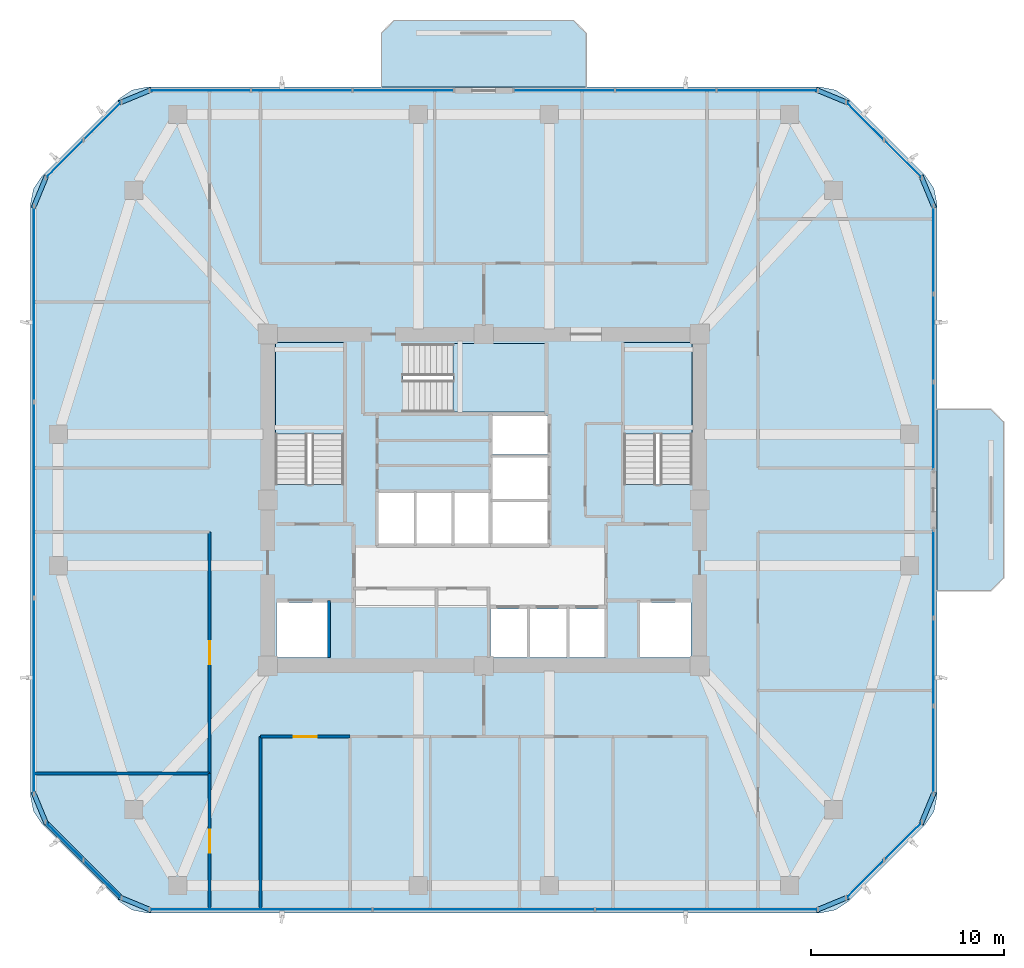
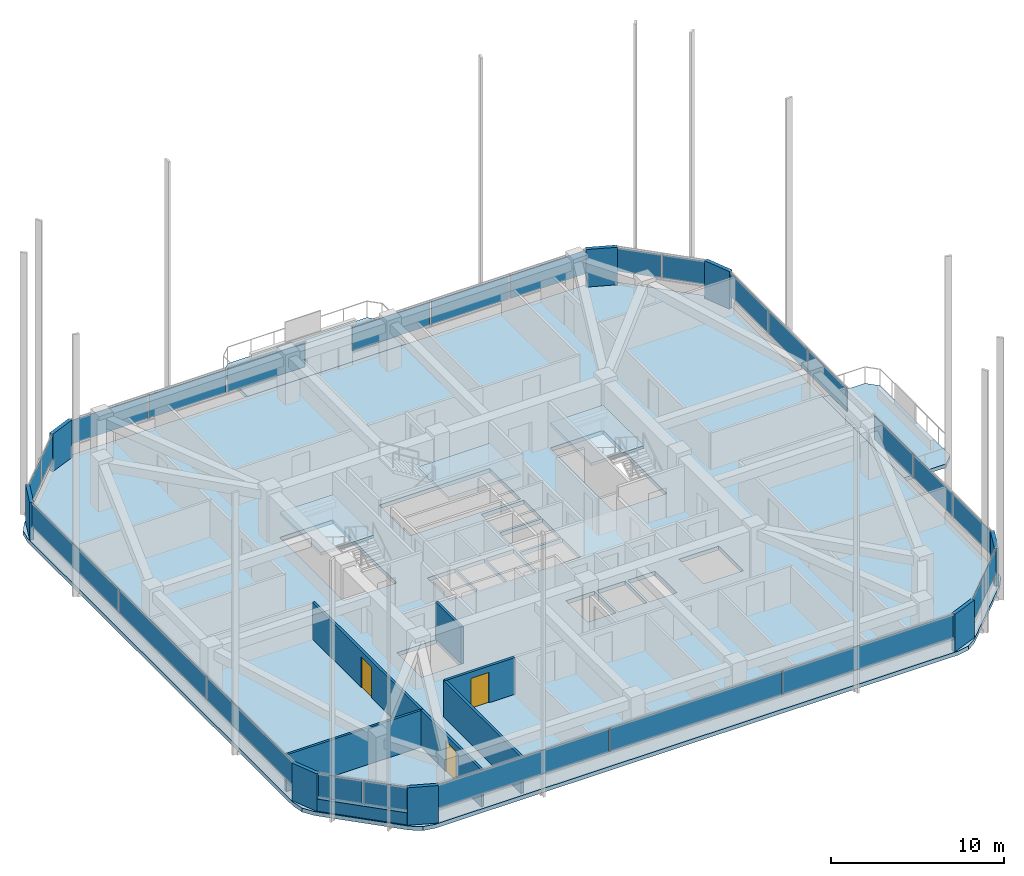
# One storey, part 7 of 14: 34 plates, 7 walls, 6 slabs, 3 doors, 3 openings, 13 elements without a shape of their own.
"""IFC4 building model written with IfcOpenShell, lengths in metres."""

from ifc_helpers import new_model, si_unit, derived_unit, direction, frame, frame_2d, origin, origin_2d, place, context, subcontext, project, spatial, polyline, rectangle, outline, extrude, material, layer, layer_set, type_object, element, fill, aggregate, save


model = new_model("IFC4")

# Units and contexts
model_context = context("Model", 3, precision=1e-05, world=origin(), true_north=direction((0.0, 1.0)))
body_context = subcontext(model_context, "Body", "Model", "MODEL_VIEW")
ifc_project = project(units=[si_unit("LENGTHUNIT", "METRE"), si_unit("AREAUNIT", "SQUARE_METRE"), si_unit("VOLUMEUNIT", "CUBIC_METRE"), si_unit("PLANEANGLEUNIT", "RADIAN"), si_unit("MASSUNIT", "GRAM", prefix="KILO"), derived_unit("THERMALTRANSMITTANCEUNIT", [(si_unit("POWERUNIT", "WATT"), 1), (si_unit("LENGTHUNIT", "METRE"), -2), (si_unit("THERMODYNAMICTEMPERATUREUNIT", "KELVIN"), -1)])], contexts=[model_context])

# Site, building, storey
site_placement = place(None, origin())
site = spatial("IfcSite", under=ifc_project, at=site_placement, CompositionType="ELEMENT")
building_placement = place(site_placement, origin())
building = spatial("IfcBuilding", under=site, at=building_placement, Name="Koralith Skygarden Medical Center", CompositionType="ELEMENT")
storey_placement = place(building_placement, frame((0.0, 0.0, 174.419921875)))
storey = spatial("IfcBuildingStorey", under=building, at=storey_placement, Name="L45", CompositionType="ELEMENT", Elevation=174.419921875)

# Curtain wall, plates
ifc_material_1 = material(Name="Clear Laminated Glass", Category="glass")
curtain_wall_type = type_object("IfcCurtainWallType", Name="CW-4 Zone 3 Waist High-Wind Curtain Wall", PredefinedType="NOTDEFINED", material=ifc_material_1)
curtain_wall_1_placement = place(storey_placement, origin())
curtain_wall_1 = element("IfcCurtainWall", 1, at=curtain_wall_1_placement, inside=storey, type_object=curtain_wall_type, Name="Curtain Wall CW-L45-S", PredefinedType="NOTDEFINED")
ifc_layer_1 = layer(ifc_material_1, 0.035888671875)
ifc_layer_set_1 = layer_set([ifc_layer_1], Name="Clear Laminated Glass")
plate_type_1 = type_object("IfcPlateType", Name="CW-4 Hurricane Laminated IGU Panel 36", PredefinedType="CURTAIN_PANEL", material=ifc_layer_set_1)
plate_1_placement = place(storey_placement, frame((25.447021484375, 4.679931640625, 0.919921875), z_axis=(0.0, 0.0, 1.0), x_axis=(1.0, 0.0, 0.0)))
plate_1 = element("IfcPlate", 2, at=plate_1_placement, type_object=plate_type_1, Name="CW-L45-S Glazed Panel 1", PredefinedType="CURTAIN_PANEL", context=body_context, shape_type="SweptSolid", body=[
    extrude(rectangle(XDim=11.462890625, YDim=0.035888671875, at=origin_2d()), origin(), (0.0, 0.0, 1.0), 1.659912109375),
])
plate_2_placement = place(storey_placement, frame((37.0, 4.679931640625, 0.919921875), z_axis=(0.0, 0.0, 1.0), x_axis=(1.0, 0.0, 0.0)))
plate_2 = element("IfcPlate", 3, at=plate_2_placement, type_object=plate_type_1, Name="CW-L45-S Glazed Panel 2", PredefinedType="CURTAIN_PANEL", context=body_context, shape_type="SweptSolid", body=[
    extrude(rectangle(XDim=11.462890625, YDim=0.035888671875, at=origin_2d()), origin(), (0.0, 0.0, 1.0), 1.659912109375),
])
plate_3_placement = place(storey_placement, frame((48.552978515625, 4.679931640625, 0.919921875), z_axis=(0.0, 0.0, 1.0), x_axis=(1.0, 0.0, 0.0)))
plate_3 = element("IfcPlate", 4, at=plate_3_placement, type_object=plate_type_1, Name="CW-L45-S Glazed Panel 3", PredefinedType="CURTAIN_PANEL", context=body_context, shape_type="SweptSolid", body=[
    extrude(rectangle(XDim=11.462890625, YDim=0.035888671875, at=origin_2d()), origin(), (0.0, 0.0, 1.0), 1.659912109375),
])
aggregate(curtain_wall_1, [plate_1, plate_2, plate_3])

curtain_wall_2_placement = place(storey_placement, origin())
curtain_wall_2 = element("IfcCurtainWall", 5, at=curtain_wall_2_placement, inside=storey, type_object=curtain_wall_type, Name="Curtain Wall CW-L45-SE", PredefinedType="NOTDEFINED")
plate_4_placement = place(storey_placement, frame((56.760986328125, 6.261962890625, 0.919921875), z_axis=(0.0, 0.0, 1.0), x_axis=(0.707106781187, 0.707106781187, 0.0)))
plate_4 = element("IfcPlate", 6, at=plate_4_placement, type_object=plate_type_1, Name="CW-L45-SE Glazed Panel 1", PredefinedType="CURTAIN_PANEL", context=body_context, shape_type="SweptSolid", body=[
    extrude(rectangle(XDim=2.68408203125, YDim=0.035888671875, at=origin_2d()), origin(), (0.0, 0.0, 1.0), 1.659912109375),
])
plate_5_placement = place(storey_placement, frame((58.721923828125, 8.222900390625, 0.919921875), z_axis=(0.0, 0.0, 1.0), x_axis=(0.707106781187, 0.707106781187, 0.0)))
plate_5 = element("IfcPlate", 7, at=plate_5_placement, type_object=plate_type_1, Name="CW-L45-SE Glazed Panel 2", PredefinedType="CURTAIN_PANEL", context=body_context, shape_type="SweptSolid", body=[
    extrude(rectangle(XDim=2.68408203125, YDim=0.035888671875, at=origin_2d()), origin(), (0.0, 0.0, 1.0), 1.659912109375),
])
aggregate(curtain_wall_2, [plate_4, plate_5])

curtain_wall_3_placement = place(storey_placement, origin())
curtain_wall_3 = element("IfcCurtainWall", 8, at=curtain_wall_3_placement, inside=storey, type_object=curtain_wall_type, Name="Curtain Wall CW-L45-E-L", PredefinedType="NOTDEFINED")
plate_6_placement = place(storey_placement, frame((60.303955078125, 12.93896484375, 0.919921875), z_axis=(0.0, 0.0, 1.0), x_axis=(0.0, 1.0, 0.0)))
plate_6 = element("IfcPlate", 9, at=plate_6_placement, type_object=plate_type_1, Name="CW-L45-E-L Glazed Panel 1", PredefinedType="CURTAIN_PANEL", context=body_context, shape_type="SweptSolid", body=[
    extrude(rectangle(XDim=4.47802734375, YDim=0.035888671875, at=origin_2d()), origin(), (0.0, 0.0, 1.0), 1.659912109375),
])
plate_7_placement = place(storey_placement, frame((60.303955078125, 17.508056640625, 0.919921875), z_axis=(0.0, 0.0, 1.0), x_axis=(0.0, 1.0, 0.0)))
plate_7 = element("IfcPlate", 10, at=plate_7_placement, type_object=plate_type_1, Name="CW-L45-E-L Glazed Panel 2", PredefinedType="CURTAIN_PANEL", context=body_context, shape_type="SweptSolid", body=[
    extrude(rectangle(XDim=4.47802734375, YDim=0.035888671875, at=origin_2d()), origin(), (0.0, 0.0, 1.0), 1.659912109375),
])
plate_8_placement = place(storey_placement, frame((60.303955078125, 22.075927734375, 0.919921875), z_axis=(0.0, 0.0, 1.0), x_axis=(0.0, 1.0, 0.0)))
plate_8 = element("IfcPlate", 11, at=plate_8_placement, type_object=plate_type_1, Name="CW-L45-E-L Glazed Panel 3", PredefinedType="CURTAIN_PANEL", context=body_context, shape_type="SweptSolid", body=[
    extrude(rectangle(XDim=4.47802734375, YDim=0.035888671875, at=origin_2d()), origin(), (0.0, 0.0, 1.0), 1.659912109375),
])
aggregate(curtain_wall_3, [plate_6, plate_7, plate_8])

curtain_wall_4_placement = place(storey_placement, origin())
curtain_wall_4 = element("IfcCurtainWall", 12, at=curtain_wall_4_placement, inside=storey, type_object=curtain_wall_type, Name="Curtain Wall CW-L45-E-R", PredefinedType="NOTDEFINED")
plate_9_placement = place(storey_placement, frame((60.303955078125, 29.72412109375, 0.919921875), z_axis=(0.0, 0.0, 1.0), x_axis=(0.0, 1.0, 0.0)))
plate_9 = element("IfcPlate", 13, at=plate_9_placement, type_object=plate_type_1, Name="CW-L45-E-R Glazed Panel 1", PredefinedType="CURTAIN_PANEL", context=body_context, shape_type="SweptSolid", body=[
    extrude(rectangle(XDim=4.47802734375, YDim=0.035888671875, at=origin_2d()), origin(), (0.0, 0.0, 1.0), 1.659912109375),
])
plate_10_placement = place(storey_placement, frame((60.303955078125, 34.29296875, 0.919921875), z_axis=(0.0, 0.0, 1.0), x_axis=(0.0, 1.0, 0.0)))
plate_10 = element("IfcPlate", 14, at=plate_10_placement, type_object=plate_type_1, Name="CW-L45-E-R Glazed Panel 2", PredefinedType="CURTAIN_PANEL", context=body_context, shape_type="SweptSolid", body=[
    extrude(rectangle(XDim=4.47802734375, YDim=0.035888671875, at=origin_2d()), origin(), (0.0, 0.0, 1.0), 1.659912109375),
])
plate_11_placement = place(storey_placement, frame((60.303955078125, 38.861083984375, 0.919921875), z_axis=(0.0, 0.0, 1.0), x_axis=(0.0, 1.0, 0.0)))
plate_11 = element("IfcPlate", 15, at=plate_11_placement, type_object=plate_type_1, Name="CW-L45-E-R Glazed Panel 3", PredefinedType="CURTAIN_PANEL", context=body_context, shape_type="SweptSolid", body=[
    extrude(rectangle(XDim=4.47802734375, YDim=0.035888671875, at=origin_2d()), origin(), (0.0, 0.0, 1.0), 1.659912109375),
])
aggregate(curtain_wall_4, [plate_9, plate_10, plate_11])

curtain_wall_5_placement = place(storey_placement, origin())
curtain_wall_5 = element("IfcCurtainWall", 16, at=curtain_wall_5_placement, inside=storey, type_object=curtain_wall_type, Name="Curtain Wall CW-L45-NE", PredefinedType="NOTDEFINED")
plate_12_placement = place(storey_placement, frame((58.721923828125, 43.576904296875, 0.919921875), z_axis=(0.0, 0.0, 1.0), x_axis=(-0.707106781187, 0.707106781187, 0.0)))
plate_12 = element("IfcPlate", 17, at=plate_12_placement, type_object=plate_type_1, Name="CW-L45-NE Glazed Panel 1", PredefinedType="CURTAIN_PANEL", context=body_context, shape_type="SweptSolid", body=[
    extrude(rectangle(XDim=2.68408203125, YDim=0.035888671875, at=origin_2d()), origin(), (0.0, 0.0, 1.0), 1.659912109375),
])
plate_13_placement = place(storey_placement, frame((56.760986328125, 45.5380859375, 0.919921875), z_axis=(0.0, 0.0, 1.0), x_axis=(-0.707106781187, 0.707106781187, 0.0)))
plate_13 = element("IfcPlate", 18, at=plate_13_placement, type_object=plate_type_1, Name="CW-L45-NE Glazed Panel 2", PredefinedType="CURTAIN_PANEL", context=body_context, shape_type="SweptSolid", body=[
    extrude(rectangle(XDim=2.68408203125, YDim=0.035888671875, at=origin_2d()), origin(), (0.0, 0.0, 1.0), 1.659912109375),
])
aggregate(curtain_wall_5, [plate_12, plate_13])

curtain_wall_6_placement = place(storey_placement, origin())
curtain_wall_6 = element("IfcCurtainWall", 19, at=curtain_wall_6_placement, inside=storey, type_object=curtain_wall_type, Name="Curtain Wall CW-L45-N-L", PredefinedType="NOTDEFINED")
plate_14_placement = place(storey_placement, frame((51.697998046875, 47.1201171875, 0.919921875), z_axis=(0.0, 0.0, 1.0), x_axis=(-1.0, 0.0, 0.0)))
plate_14 = element("IfcPlate", 20, at=plate_14_placement, type_object=plate_type_1, Name="CW-L45-N-L Glazed Panel 1", PredefinedType="CURTAIN_PANEL", context=body_context, shape_type="SweptSolid", body=[
    extrude(rectangle(XDim=5.173095703125, YDim=0.035888671875, at=origin_2d()), origin(), (0.0, 0.0, 1.0), 1.659912109375),
])
plate_15_placement = place(storey_placement, frame((46.43505859375, 47.1201171875, 0.919921875), z_axis=(0.0, 0.0, 1.0), x_axis=(-1.0, 0.0, 0.0)))
plate_15 = element("IfcPlate", 21, at=plate_15_placement, type_object=plate_type_1, Name="CW-L45-N-L Glazed Panel 2", PredefinedType="CURTAIN_PANEL", context=body_context, shape_type="SweptSolid", body=[
    extrude(rectangle(XDim=5.173095703125, YDim=0.035888671875, at=origin_2d()), origin(), (0.0, 0.0, 1.0), 1.659912109375),
])
plate_16_placement = place(storey_placement, frame((41.172119140625, 47.1201171875, 0.919921875), z_axis=(0.0, 0.0, 1.0), x_axis=(-1.0, 0.0, 0.0)))
plate_16 = element("IfcPlate", 22, at=plate_16_placement, type_object=plate_type_1, Name="CW-L45-N-L Glazed Panel 3", PredefinedType="CURTAIN_PANEL", context=body_context, shape_type="SweptSolid", body=[
    extrude(rectangle(XDim=5.173095703125, YDim=0.035888671875, at=origin_2d()), origin(), (0.0, 0.0, 1.0), 1.659912109375),
])
aggregate(curtain_wall_6, [plate_14, plate_15, plate_16])

curtain_wall_7_placement = place(storey_placement, origin())
curtain_wall_7 = element("IfcCurtainWall", 23, at=curtain_wall_7_placement, inside=storey, type_object=curtain_wall_type, Name="Curtain Wall CW-L45-N-R", PredefinedType="NOTDEFINED")
plate_17_placement = place(storey_placement, frame((32.8291015625, 47.1201171875, 0.919921875), z_axis=(0.0, 0.0, 1.0), x_axis=(-1.0, 0.0, 0.0)))
plate_17 = element("IfcPlate", 24, at=plate_17_placement, type_object=plate_type_1, Name="CW-L45-N-R Glazed Panel 1", PredefinedType="CURTAIN_PANEL", context=body_context, shape_type="SweptSolid", body=[
    extrude(rectangle(XDim=5.173095703125, YDim=0.035888671875, at=origin_2d()), origin(), (0.0, 0.0, 1.0), 1.659912109375),
])
plate_18_placement = place(storey_placement, frame((27.56591796875, 47.1201171875, 0.919921875), z_axis=(0.0, 0.0, 1.0), x_axis=(-1.0, 0.0, 0.0)))
plate_18 = element("IfcPlate", 25, at=plate_18_placement, type_object=plate_type_1, Name="CW-L45-N-R Glazed Panel 2", PredefinedType="CURTAIN_PANEL", context=body_context, shape_type="SweptSolid", body=[
    extrude(rectangle(XDim=5.173095703125, YDim=0.035888671875, at=origin_2d()), origin(), (0.0, 0.0, 1.0), 1.659912109375),
])
plate_19_placement = place(storey_placement, frame((22.302978515625, 47.1201171875, 0.919921875), z_axis=(0.0, 0.0, 1.0), x_axis=(-1.0, 0.0, 0.0)))
plate_19 = element("IfcPlate", 26, at=plate_19_placement, type_object=plate_type_1, Name="CW-L45-N-R Glazed Panel 3", PredefinedType="CURTAIN_PANEL", context=body_context, shape_type="SweptSolid", body=[
    extrude(rectangle(XDim=5.173095703125, YDim=0.035888671875, at=origin_2d()), origin(), (0.0, 0.0, 1.0), 1.659912109375),
])
aggregate(curtain_wall_7, [plate_17, plate_18, plate_19])

curtain_wall_8_placement = place(storey_placement, origin())
curtain_wall_8 = element("IfcCurtainWall", 27, at=curtain_wall_8_placement, inside=storey, type_object=curtain_wall_type, Name="Curtain Wall CW-L45-NW", PredefinedType="NOTDEFINED")
plate_20_placement = place(storey_placement, frame((17.239013671875, 45.5380859375, 0.919921875), z_axis=(0.0, 0.0, 1.0), x_axis=(-0.707106781187, -0.707106781187, 0.0)))
plate_20 = element("IfcPlate", 28, at=plate_20_placement, type_object=plate_type_1, Name="CW-L45-NW Glazed Panel 1", PredefinedType="CURTAIN_PANEL", context=body_context, shape_type="SweptSolid", body=[
    extrude(rectangle(XDim=2.68408203125, YDim=0.035888671875, at=origin_2d()), origin(), (0.0, 0.0, 1.0), 1.659912109375),
])
plate_21_placement = place(storey_placement, frame((15.278076171875, 43.576904296875, 0.919921875), z_axis=(0.0, 0.0, 1.0), x_axis=(-0.707106781187, -0.707106781187, 0.0)))
plate_21 = element("IfcPlate", 29, at=plate_21_placement, type_object=plate_type_1, Name="CW-L45-NW Glazed Panel 2", PredefinedType="CURTAIN_PANEL", context=body_context, shape_type="SweptSolid", body=[
    extrude(rectangle(XDim=2.68408203125, YDim=0.035888671875, at=origin_2d()), origin(), (0.0, 0.0, 1.0), 1.659912109375),
])
aggregate(curtain_wall_8, [plate_20, plate_21])

curtain_wall_9_placement = place(storey_placement, origin())
curtain_wall_9 = element("IfcCurtainWall", 30, at=curtain_wall_9_placement, inside=storey, type_object=curtain_wall_type, Name="Curtain Wall CW-L45-W", PredefinedType="NOTDEFINED")
plate_22_placement = place(storey_placement, frame((13.696044921875, 36.06298828125, 0.919921875), z_axis=(0.0, 0.0, 1.0), x_axis=(0.0, -1.0, 0.0)))
plate_22 = element("IfcPlate", 31, at=plate_22_placement, type_object=plate_type_1, Name="CW-L45-W Glazed Panel 1", PredefinedType="CURTAIN_PANEL", context=body_context, shape_type="SweptSolid", body=[
    extrude(rectangle(XDim=10.072998046875, YDim=0.035888671875, at=origin_2d()), origin(), (0.0, 0.0, 1.0), 1.659912109375),
])
plate_23_placement = place(storey_placement, frame((13.696044921875, 25.89990234375, 0.919921875), z_axis=(0.0, 0.0, 1.0), x_axis=(0.0, -1.0, 0.0)))
plate_23 = element("IfcPlate", 32, at=plate_23_placement, type_object=plate_type_1, Name="CW-L45-W Glazed Panel 2", PredefinedType="CURTAIN_PANEL", context=body_context, shape_type="SweptSolid", body=[
    extrude(rectangle(XDim=10.072998046875, YDim=0.035888671875, at=origin_2d()), origin(), (0.0, 0.0, 1.0), 1.659912109375),
])
plate_24_placement = place(storey_placement, frame((13.696044921875, 15.737060546875, 0.919921875), z_axis=(0.0, 0.0, 1.0), x_axis=(0.0, -1.0, 0.0)))
plate_24 = element("IfcPlate", 33, at=plate_24_placement, type_object=plate_type_1, Name="CW-L45-W Glazed Panel 3", PredefinedType="CURTAIN_PANEL", context=body_context, shape_type="SweptSolid", body=[
    extrude(rectangle(XDim=10.072998046875, YDim=0.035888671875, at=origin_2d()), origin(), (0.0, 0.0, 1.0), 1.659912109375),
])
aggregate(curtain_wall_9, [plate_22, plate_23, plate_24])

curtain_wall_10_placement = place(storey_placement, origin())
curtain_wall_10 = element("IfcCurtainWall", 34, at=curtain_wall_10_placement, inside=storey, type_object=curtain_wall_type, Name="Curtain Wall CW-L45-SW", PredefinedType="NOTDEFINED")
plate_25_placement = place(storey_placement, frame((15.278076171875, 8.222900390625, 0.919921875), z_axis=(0.0, 0.0, 1.0), x_axis=(0.707106781187, -0.707106781187, 0.0)))
plate_25 = element("IfcPlate", 35, at=plate_25_placement, type_object=plate_type_1, Name="CW-L45-SW Glazed Panel 1", PredefinedType="CURTAIN_PANEL", context=body_context, shape_type="SweptSolid", body=[
    extrude(rectangle(XDim=2.68408203125, YDim=0.035888671875, at=origin_2d()), origin(), (0.0, 0.0, 1.0), 1.659912109375),
])
plate_26_placement = place(storey_placement, frame((17.239013671875, 6.261962890625, 0.919921875), z_axis=(0.0, 0.0, 1.0), x_axis=(0.707106781187, -0.707106781187, 0.0)))
plate_26 = element("IfcPlate", 36, at=plate_26_placement, type_object=plate_type_1, Name="CW-L45-SW Glazed Panel 2", PredefinedType="CURTAIN_PANEL", context=body_context, shape_type="SweptSolid", body=[
    extrude(rectangle(XDim=2.68408203125, YDim=0.035888671875, at=origin_2d()), origin(), (0.0, 0.0, 1.0), 1.659912109375),
])
aggregate(curtain_wall_10, [plate_25, plate_26])

# Slabs
ifc_material_2 = material(Name="Concrete C45/55", Category="concrete")
ifc_layer_2 = layer(ifc_material_2, 0.260009765625)
ifc_layer_set_2 = layer_set([ifc_layer_2], Name="Concrete C45/55")
slab_type_1 = type_object("IfcSlabType", Name="Cantilevered Planted Balcony Slab 260", PredefinedType="FLOOR", material=ifc_layer_set_2)
slab_1_placement = place(storey_placement, frame((0.0, 0.0, -0.260009765625)))
element("IfcSlab", 37, at=slab_1_placement, inside=storey, type_object=slab_type_1, Name="L45 N Planted Sky-Garden Balcony Slab", PredefinedType="FLOOR", context=body_context, shape_type="SweptSolid", body=[
    extrude(outline(polyline([(31.699951171875, 47.300048828125), (42.300048828125, 47.300048828125), (42.300048828125, 50.10009765625), (41.64990234375, 50.75), (32.35009765625, 50.75), (31.699951171875, 50.10009765625), (31.699951171875, 47.300048828125)])), origin(), (0.0, 0.0, 1.0), 0.260009765625),
])
slab_2_placement = place(storey_placement, frame((0.0, 0.0, -0.260009765625)))
element("IfcSlab", 38, at=slab_2_placement, inside=storey, type_object=slab_type_1, Name="L45 E Planted Sky-Garden Balcony Slab", PredefinedType="FLOOR", context=body_context, shape_type="SweptSolid", body=[
    extrude(outline(polyline([(60.48388671875, 21.199951171875), (63.283935546875, 21.199951171875), (63.93408203125, 21.85009765625), (63.93408203125, 29.949951171875), (63.283935546875, 30.60009765625), (60.48388671875, 30.60009765625), (60.48388671875, 21.199951171875)])), origin(), (0.0, 0.0, 1.0), 0.260009765625),
])

# Stair, slab
stair_type = type_object("IfcStairType", Name="Core Exit Dogleg Concrete Stair", PredefinedType="HALF_TURN_STAIR", material=ifc_material_2)
stair_1_placement = place(storey_placement, origin())
stair_1 = element("IfcStair", 39, at=stair_1_placement, inside=storey, type_object=stair_type, Name="L45 Smokeproof Exit Stair ST1", PredefinedType="HALF_TURN_STAIR")
ifc_layer_3 = layer(ifc_material_2, 0.199951171875)
ifc_layer_set_3 = layer_set([ifc_layer_3], Name="Concrete C45/55")
slab_type_2 = type_object("IfcSlabType", Name="Core Exit Concrete Stair Landing 200", PredefinedType="LANDING", material=ifc_layer_set_3)
slab_3_placement = place(storey_placement, frame((0.0, 0.0, 1.60009765625)))
slab_3 = element("IfcSlab", 40, at=slab_3_placement, type_object=slab_type_2, Name="ST1 landing 1", PredefinedType="LANDING", context=body_context, shape_type="SweptSolid", body=[
    extrude(outline(polyline([(29.75, 29.31005859375), (29.75, 34.050048828125), (26.199951171875, 34.050048828125), (26.199951171875, 29.31005859375), (29.75, 29.31005859375)])), origin(), (0.0, 0.0, 1.0), 0.199951171875),
])
aggregate(stair_1, [slab_3])

stair_2_placement = place(storey_placement, origin())
stair_2 = element("IfcStair", 41, at=stair_2_placement, inside=storey, type_object=stair_type, Name="L45 Smokeproof Exit Stair ST2", PredefinedType="HALF_TURN_STAIR")
slab_4_placement = place(storey_placement, frame((0.0, 0.0, 1.60009765625)))
slab_4 = element("IfcSlab", 42, at=slab_4_placement, type_object=slab_type_2, Name="ST2 landing 1", PredefinedType="LANDING", context=body_context, shape_type="SweptSolid", body=[
    extrude(outline(polyline([(47.800048828125, 29.31005859375), (47.800048828125, 34.050048828125), (44.25, 34.050048828125), (44.25, 29.31005859375), (47.800048828125, 29.31005859375)])), origin(), (0.0, 0.0, 1.0), 0.199951171875),
])
aggregate(stair_2, [slab_4])

stair_3_placement = place(storey_placement, origin())
stair_3 = element("IfcStair", 43, at=stair_3_placement, inside=storey, type_object=stair_type, Name="L45 Smokeproof Exit Stair ST3", PredefinedType="HALF_TURN_STAIR")
slab_5_placement = place(storey_placement, frame((0.0, 0.0, 1.60009765625)))
slab_5 = element("IfcSlab", 44, at=slab_5_placement, type_object=slab_type_2, Name="ST3 landing 1", PredefinedType="LANDING", context=body_context, shape_type="SweptSolid", body=[
    extrude(outline(polyline([(35.409912109375, 30.449951171875), (40.199951171875, 30.449951171875), (40.199951171875, 34.0), (35.409912109375, 34.0), (35.409912109375, 30.449951171875)])), origin(), (0.0, 0.0, 1.0), 0.199951171875),
])
aggregate(stair_3, [slab_5])

# Slab
ifc_layer_4 = layer(ifc_material_2, 0.280029296875)
ifc_layer_set_4 = layer_set([ifc_layer_4], Name="Concrete C45/55")
slab_type_3 = type_object("IfcSlabType", Name="Post-Tensioned Ward Floor Plate 280", PredefinedType="FLOOR", material=ifc_layer_set_4)
slab_6_placement = place(storey_placement, frame((0.0, 0.0, -0.280029296875)))
element("IfcSlab", 45, at=slab_6_placement, inside=storey, type_object=slab_type_3, Name="Level L45 Structural Floor Slab", PredefinedType="FLOOR", context=body_context, shape_type="SweptSolid", body=[
    extrude(outline(polyline([(18.1298828125, 5.0859375), (18.779052734375, 4.652099609375), (19.5439453125, 4.5), (54.4560546875, 4.5), (55.220947265625, 4.652099609375), (55.8701171875, 5.0859375), (59.89794921875, 9.114013671875), (60.33203125, 9.762939453125), (60.48388671875, 10.528076171875), (60.48388671875, 41.27197265625), (60.33203125, 42.037109375), (59.89794921875, 42.68603515625), (55.8701171875, 46.714111328125), (55.220947265625, 47.14794921875), (54.4560546875, 47.300048828125), (19.5439453125, 47.300048828125), (18.779052734375, 47.14794921875), (18.1298828125, 46.714111328125), (14.10205078125, 42.68603515625), (13.66796875, 42.037109375), (13.51611328125, 41.27197265625), (13.51611328125, 10.528076171875), (13.66796875, 9.762939453125), (14.10205078125, 9.114013671875), (18.1298828125, 5.0859375)]), holes=[polyline([(26.199951171875, 26.705078125), (29.75, 26.705078125), (29.75, 34.050048828125), (26.199951171875, 34.050048828125), (26.199951171875, 26.705078125)]), polyline([(44.25, 26.705078125), (47.800048828125, 26.705078125), (47.800048828125, 34.050048828125), (44.25, 34.050048828125), (44.25, 26.705078125)]), polyline([(32.804931640625, 30.449951171875), (40.199951171875, 30.449951171875), (40.199951171875, 34.0), (32.804931640625, 34.0), (32.804931640625, 30.449951171875)]), polyline([(26.25, 17.75), (28.89990234375, 17.75), (28.89990234375, 20.60009765625), (26.25, 20.60009765625), (26.25, 17.75)]), polyline([(45.10009765625, 17.75), (47.75, 17.75), (47.75, 20.60009765625), (45.10009765625, 20.60009765625), (45.10009765625, 17.75)]), polyline([(37.35009765625, 17.75), (39.25, 17.75), (39.25, 20.25), (37.35009765625, 20.25), (37.35009765625, 17.75)]), polyline([(39.39990234375, 17.75), (41.300048828125, 17.75), (41.300048828125, 20.25), (39.39990234375, 20.25), (39.39990234375, 17.75)]), polyline([(41.449951171875, 17.75), (43.300048828125, 17.75), (43.300048828125, 20.25), (41.449951171875, 20.25), (41.449951171875, 17.75)]), polyline([(31.550048828125, 23.64990234375), (33.39990234375, 23.64990234375), (33.39990234375, 26.25), (31.550048828125, 26.25), (31.550048828125, 23.64990234375)]), polyline([(33.5, 23.64990234375), (35.35009765625, 23.64990234375), (35.35009765625, 26.25), (33.5, 26.25), (33.5, 23.64990234375)]), polyline([(35.449951171875, 23.64990234375), (37.300048828125, 23.64990234375), (37.300048828125, 26.25), (35.449951171875, 26.25), (35.449951171875, 23.64990234375)]), polyline([(37.449951171875, 23.64990234375), (40.300048828125, 23.64990234375), (40.300048828125, 25.800048828125), (37.449951171875, 25.800048828125), (37.449951171875, 23.64990234375)]), polyline([(37.449951171875, 25.949951171875), (40.300048828125, 25.949951171875), (40.300048828125, 28.10009765625), (37.449951171875, 28.10009765625), (37.449951171875, 25.949951171875)]), polyline([(37.449951171875, 28.25), (40.300048828125, 28.25), (40.300048828125, 30.25), (37.449951171875, 30.25), (37.449951171875, 28.25)])]), origin(), (0.0, 0.0, 1.0), 0.280029296875),
])

# Plates
ifc_material_3 = material(Name="Warm Oolitic Limestone Cladding", Category="masonry")
ifc_layer_5 = layer(ifc_material_3, 0.239990234375)
ifc_layer_set_5 = layer_set([ifc_layer_5], Name="Warm Oolitic Limestone Cladding")
plate_type_2 = type_object("IfcPlateType", Name="Rounded-Corner Oolitic Limestone Cladding Panel 240", PredefinedType="USERDEFINED", material=ifc_layer_set_5)
for number, where, z_axis, x_axis, name in (
    (46, (55.054931640625, 4.97998046875, 0.000244140625), (0.0, 0.0, 1.0), (0.92388487569, 0.382670532536, 0.0), "L45 Rounded-Corner Limestone Pier 1"),
    (47, (60.00390625, 9.929931640625, 0.000244140625), (0.0, 0.0, 1.0), (0.382670532536, 0.92388487569, 0.0), "L45 Rounded-Corner Limestone Pier 2"),
    (48, (60.00390625, 41.8701171875, 0.000244140625), (0.0, 0.0, 1.0), (-0.382670532536, 0.92388487569, 0.0), "L45 Rounded-Corner Limestone Pier 3"),
    (49, (55.054931640625, 46.819091796875, 0.000244140625), (0.0, 0.0, 1.0), (-0.92388487569, 0.382670532536, 0.0), "L45 Rounded-Corner Limestone Pier 4"),
    (50, (18.945068359375, 46.819091796875, 0.000244140625), (0.0, 0.0, 1.0), (-0.92388487569, -0.382670532536, 0.0), "L45 Rounded-Corner Limestone Pier 5"),
    (51, (13.9970703125, 41.8701171875, 0.000244140625), (0.0, 0.0, 1.0), (-0.382670532536, -0.92388487569, 0.0), "L45 Rounded-Corner Limestone Pier 6"),
    (52, (13.9970703125, 9.929931640625, 0.000244140625), (0.0, 0.0, 1.0), (0.382670532536, -0.92388487569, 0.0), "L45 Rounded-Corner Limestone Pier 7"),
    (53, (18.945068359375, 4.97998046875, 0.000244140625), (0.0, 0.0, 1.0), (0.92388487569, -0.382670532536, 0.0), "L45 Rounded-Corner Limestone Pier 8"),
):
    element("IfcPlate", number, at=place(storey_placement, frame(where, z_axis=z_axis, x_axis=x_axis)), inside=storey, type_object=plate_type_2, Name=name, ObjectType="LIMESTONE CLADDING", PredefinedType="USERDEFINED", context=body_context, shape_type="SweptSolid", body=[
        extrude(rectangle(XDim=1.81103515625, YDim=0.239990234375, at=origin_2d()), origin(), (0.0, 0.0, 1.0), 2.64990234375),
    ])

# Walls
ifc_material_4 = material(Name="Gypsum Board Partition")
ifc_layer_6 = layer(ifc_material_4, 0.14990234375)
ifc_layer_set_6 = layer_set([ifc_layer_6], Name="Gypsum Board Partition")
wall_type_1 = type_object("IfcWallType", Name="Clinical Acoustic Partition 150", PredefinedType="PARTITIONING", material=ifc_layer_set_6)
wall_1_placement = place(storey_placement, frame((22.7900390625, 11.73388671875, 0.0), z_axis=(0.0, 0.0, 1.0), x_axis=(-1.0, 0.0, 0.0)))
element("IfcWall", 54, at=wall_1_placement, inside=storey, type_object=wall_type_1, Name="L45 Clinical Acoustic Partition 150 W-PART-L45-WS-01", PredefinedType="PARTITIONING", context=body_context, shape_type="SweptSolid", body=[
    extrude(rectangle(XDim=9.073974609375, YDim=0.14990234375, at=frame_2d((4.537109375, 0.0))), origin(), (0.0, 0.0, 1.0), 2.590087890625),
])
ifc_layer_7 = layer(ifc_material_4, 0.1650390625)
ifc_layer_set_7 = layer_set([ifc_layer_7], Name="Gypsum Board Partition")
wall_type_2 = type_object("IfcWallType", Name="Clinical Corridor Partition 165", PredefinedType="PARTITIONING", material=ifc_layer_set_7)
wall_2_placement = place(storey_placement, frame((25.429931640625, 4.699951171875, 0.0), z_axis=(0.0, 0.0, 1.0), x_axis=(0.0, 1.0, 0.0)))
element("IfcWall", 55, at=wall_2_placement, inside=storey, type_object=wall_type_2, Name="L45 Clinical Corridor Partition 165 W-HCOR-L45-SW", PredefinedType="PARTITIONING", context=body_context, shape_type="SweptSolid", body=[
    extrude(rectangle(XDim=8.93994140625, YDim=0.1650390625, at=frame_2d((4.469970703125, 0.0))), origin(), (0.0, 0.0, 1.0), 2.590087890625),
])

# Wall, opening, door
wall_3_placement = place(storey_placement, frame((25.429931640625, 13.639892578125, 0.0), z_axis=(0.0, 0.0, 1.0), x_axis=(1.0, 0.0, 0.0)))
wall_3 = element("IfcWall", 56, at=wall_3_placement, inside=storey, type_object=wall_type_2, Name="L45 Clinical Corridor Partition 165 W-CORR-L45-S-01", PredefinedType="PARTITIONING", context=body_context, shape_type="SweptSolid", body=[
    extrude(rectangle(XDim=4.634033203125, YDim=0.1650390625, at=frame_2d((2.31689453125, 0.0))), origin(), (0.0, 0.0, 1.0), 2.590087890625),
])
opening_1_placement = place(wall_3_placement, frame((1.717041015625, 0.0, 0.0)))
opening_1 = element("IfcOpeningElement", 57, at=opening_1_placement, cuts=wall_3, Name="Opening D-CLN", PredefinedType="OPENING", context=body_context, shape_type="SweptSolid", body=[
    extrude(rectangle(XDim=1.199951171875, YDim=2.14990234375, at=frame_2d((0.60009765625, 1.074951171875))), frame((0.0, 0.092529296875, 0.0), z_axis=(0.0, -1.0, 0.0), x_axis=(1.0, 0.0, 0.0)), (0.0, 0.0, 1.0), 0.18505859375),
])
ifc_material_5 = material(Name="Aluminium 6063-T6", Category="aluminium")
door_type = type_object("IfcDoorType", Name="Clinical Corridor Door D-CLN 1200", OperationType="NOTDEFINED", PredefinedType="DOOR", material=ifc_material_5)
door_1_placement = place(opening_1_placement, frame((1.199951171875, 0.0, 0.0), z_axis=(0.0, 0.0, 1.0), x_axis=(-1.0, 0.0, 0.0)))
door_1 = element("IfcDoor", 58, at=door_1_placement, inside=storey, type_object=door_type, Name="L45 Sterile Pack Store 04 Door", OperationType="SINGLE_SWING_LEFT", OverallHeight=2.14990234375, OverallWidth=1.199951171875, PredefinedType="DOOR", context=body_context, shape_type="SweptSolid", body=[
    extrude(rectangle(XDim=1.199951171875, YDim=2.14990234375, at=frame_2d((0.60009765625, 1.074951171875))), frame((0.0, 0.02490234375, 0.0), z_axis=(0.0, -1.0, 0.0), x_axis=(1.0, 0.0, 0.0)), (0.0, 0.0, 1.0), 0.050048828125),
])
fill(opening_1, door_1)

wall_4_placement = place(storey_placement, frame((22.7900390625, 4.699951171875, 0.0), z_axis=(0.0, 0.0, 1.0), x_axis=(0.0, 1.0, 0.0)))
wall_4 = element("IfcWall", 59, at=wall_4_placement, inside=storey, type_object=wall_type_2, Name="L45 Clinical Corridor Partition 165 W-CORR-L45-WS-01", PredefinedType="PARTITIONING", context=body_context, shape_type="SweptSolid", body=[
    extrude(rectangle(XDim=7.033935546875, YDim=0.1650390625, at=frame_2d((3.51708984375, 0.0))), origin(), (0.0, 0.0, 1.0), 2.590087890625),
])
opening_2_placement = place(wall_4_placement, frame((2.9169921875, 0.0, 0.0)))
opening_2 = element("IfcOpeningElement", 60, at=opening_2_placement, cuts=wall_4, Name="Opening D-CLN", PredefinedType="OPENING", context=body_context, shape_type="SweptSolid", body=[
    extrude(rectangle(XDim=1.199951171875, YDim=2.14990234375, at=frame_2d((0.60009765625, 1.074951171875))), frame((0.0, 0.092529296875, 0.0), z_axis=(0.0, -1.0, 0.0), x_axis=(1.0, 0.0, 0.0)), (0.0, 0.0, 1.0), 0.18505859375),
])
door_2_placement = place(opening_2_placement, frame((1.199951171875, 0.0, 0.0), z_axis=(0.0, 0.0, 1.0), x_axis=(-1.0, 0.0, 0.0)))
door_2 = element("IfcDoor", 61, at=door_2_placement, inside=storey, type_object=door_type, Name="L45 Chief Resident Office 09 Door", OperationType="SINGLE_SWING_RIGHT", OverallHeight=2.14990234375, OverallWidth=1.199951171875, PredefinedType="DOOR", context=body_context, shape_type="SweptSolid", body=[
    extrude(rectangle(XDim=1.199951171875, YDim=2.14990234375, at=frame_2d((0.60009765625, 1.074951171875))), frame((0.0, 0.02490234375, 0.0), z_axis=(0.0, -1.0, 0.0), x_axis=(1.0, 0.0, 0.0)), (0.0, 0.0, 1.0), 0.050048828125),
])
fill(opening_2, door_2)

wall_5_placement = place(storey_placement, frame((22.7900390625, 11.73388671875, 0.0), z_axis=(0.0, 0.0, 1.0), x_axis=(0.0, 1.0, 0.0)))
wall_5 = element("IfcWall", 62, at=wall_5_placement, inside=storey, type_object=wall_type_2, Name="L45 Clinical Corridor Partition 165 W-CORR-L45-WS-02", PredefinedType="PARTITIONING", context=body_context, shape_type="SweptSolid", body=[
    extrude(rectangle(XDim=12.506103515625, YDim=0.1650390625, at=frame_2d((6.2529296875, 0.0))), origin(), (0.0, 0.0, 1.0), 2.590087890625),
])
opening_3_placement = place(wall_5_placement, frame((5.653076171875, 0.0, 0.0)))
opening_3 = element("IfcOpeningElement", 63, at=opening_3_placement, cuts=wall_5, Name="Opening D-CLN", PredefinedType="OPENING", context=body_context, shape_type="SweptSolid", body=[
    extrude(rectangle(XDim=1.199951171875, YDim=2.14990234375, at=frame_2d((0.60009765625, 1.074951171875))), frame((0.0, 0.092529296875, 0.0), z_axis=(0.0, -1.0, 0.0), x_axis=(1.0, 0.0, 0.0)), (0.0, 0.0, 1.0), 0.18505859375),
])
door_3_placement = place(opening_3_placement, frame((1.199951171875, 0.0, 0.0), z_axis=(0.0, 0.0, 1.0), x_axis=(-1.0, 0.0, 0.0)))
door_3 = element("IfcDoor", 64, at=door_3_placement, inside=storey, type_object=door_type, Name="L45 Surgical Morbidity Seminar Room 10 Door", OperationType="SINGLE_SWING_LEFT", OverallHeight=2.14990234375, OverallWidth=1.199951171875, PredefinedType="DOOR", context=body_context, shape_type="SweptSolid", body=[
    extrude(rectangle(XDim=1.199951171875, YDim=2.14990234375, at=frame_2d((0.60009765625, 1.074951171875))), frame((0.0, 0.02490234375, 0.0), z_axis=(0.0, -1.0, 0.0), x_axis=(1.0, 0.0, 0.0)), (0.0, 0.0, 1.0), 0.050048828125),
])
fill(opening_3, door_3)

# Walls
ifc_layer_8 = layer(ifc_material_3, 0.239990234375)
ifc_layer_set_8 = layer_set([ifc_layer_8], Name="Warm Oolitic Limestone Cladding")
wall_type_3 = type_object("IfcWallType", Name="Limestone Spandrel Sill Backup Wall 240", PredefinedType="SOLIDWALL", material=ifc_layer_set_8)
wall_6_placement = place(storey_placement, frame((14.297119140625, 9.2041015625, 0.0), z_axis=(0.0, 0.0, 1.0), x_axis=(0.707084777957, -0.707128783731, 0.0)))
element("IfcWall", 65, at=wall_6_placement, inside=storey, type_object=wall_type_3, Name="L45 Sill Spandrel SW", PredefinedType="SOLIDWALL", context=body_context, shape_type="SweptSolid", body=[
    extrude(rectangle(XDim=5.5478515625, YDim=0.239990234375, at=frame_2d((2.77392578125, 0.0))), origin(), (0.0, 0.0, 1.0), 0.85009765625),
])
ifc_layer_9 = layer(ifc_material_4, 0.14990234375)
ifc_layer_set_9 = layer_set([ifc_layer_9], Name="Gypsum Board Partition")
wall_type_4 = type_object("IfcWallType", Name="Shaft Partition Wall 150", PredefinedType="PARTITIONING", material=ifc_layer_set_9)
wall_7_placement = place(storey_placement, frame((28.969970703125, 17.75, 0.0), z_axis=(0.0, 0.0, 1.0), x_axis=(0.0, 1.0, 0.0)))
element("IfcWall", 66, at=wall_7_placement, inside=storey, type_object=wall_type_4, Name="L45 Shaft Partition Wall 150 W-CORE-L45-RSRW-DIV", PredefinedType="PARTITIONING", context=body_context, shape_type="SweptSolid", body=[
    extrude(rectangle(XDim=2.949951171875, YDim=0.14990234375, at=frame_2d((1.47509765625, 0.0))), origin(), (0.0, 0.0, 1.0), 2.590087890625),
])

save(model, "model.ifc")
